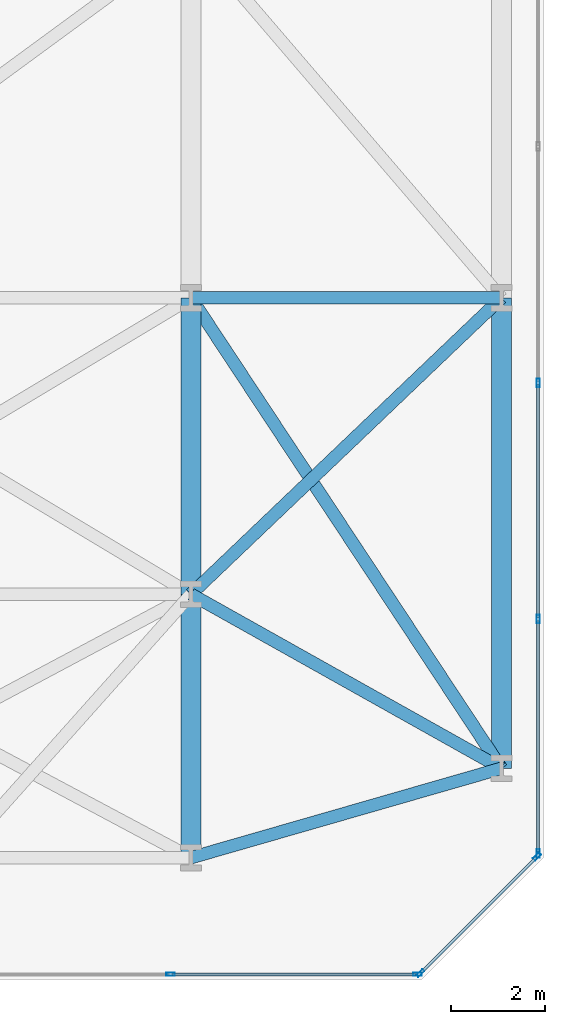
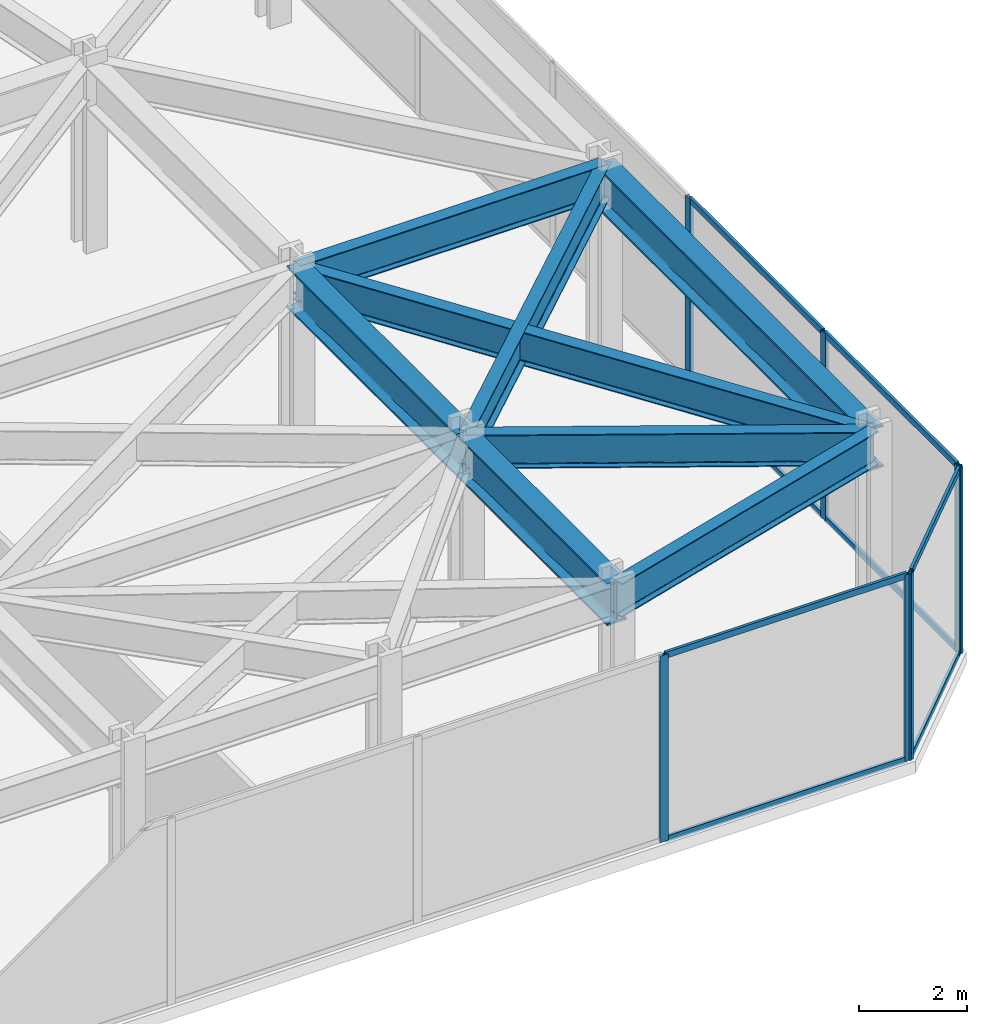
# One storey, part 21 of 28: 15 members, 8 beams, 3 elements without a shape of their own.
"""IFC4 building model written with IfcOpenShell, lengths in metres."""

import ifcopenshell
import ifcopenshell.guid

model = None  # the IFC model being written
_history = None  # IfcOwnerHistory: only IFC2X3 demands one
_inside = {}  # id of a spatial element -> (the spatial element, [elements in it])
_under = {}  # id of a project, library or spatial element -> (it, [spatial elements below it])
_declared = {}  # id of a project -> (the project, [libraries it declares])
_typed = {}  # id of a type object -> (the type object, [elements of that type])
_made_of = {}  # id of a material, layer set ... -> (it, [elements and type objects made of it])


def new_model(schema):
    """Start an empty IFC model of exactly this schema.

    Asked for "IFC4X3", IfcOpenShell would pick the latest addendum, in which some entities
    have other attributes; the version numbers below select the first issue.
    IFC2X3 requires an IfcOwnerHistory on every rooted entity: one is made here for all.
    """
    global model, _history
    if schema == "IFC4X3":
        model = ifcopenshell.file(schema_version=(4, 3, 0, 0))
    else:
        model = ifcopenshell.file(schema=schema)
    _inside.clear()
    _under.clear()
    _declared.clear()
    _typed.clear()
    _made_of.clear()
    _history = None
    if model.schema == "IFC2X3":
        org = make("IfcOrganization", Name="unknown")
        user = make(
            "IfcPersonAndOrganization",
            ThePerson=make("IfcPerson", FamilyName="unknown"),
            TheOrganization=org,
        )
        app = make(
            "IfcApplication",
            ApplicationDeveloper=org,
            Version="unknown",
            ApplicationFullName="unknown",
            ApplicationIdentifier="unknown",
        )
        _history = make(
            "IfcOwnerHistory",
            OwningUser=user,
            OwningApplication=app,
            ChangeAction="ADDED",
            CreationDate=0,
        )
    return model


def make(cls, **values):
    """One entity of the class cls with the attributes given. An attribute that is None is left unset."""
    return model.create_entity(
        cls, **{name: value for name, value in values.items() if value is not None}
    )


def rooted(cls, **values):
    """An entity with a GlobalId (a new one), such as an element, a storey or a relation."""
    return make(cls, GlobalId=ifcopenshell.guid.new(), OwnerHistory=_history, **values)


def si_unit(unit_type, name, prefix=None):
    """IfcSIUnit, for example si_unit("LENGTHUNIT", "METRE", prefix="MILLI")."""
    return make("IfcSIUnit", UnitType=unit_type, Prefix=prefix, Name=name)


def assignment(units):
    """IfcUnitAssignment: the units of a project."""
    return None if units is None else make("IfcUnitAssignment", Units=units)


def point(xyz):
    """IfcCartesianPoint."""
    return None if xyz is None else make("IfcCartesianPoint", Coordinates=xyz)


def direction(xyz):
    """IfcDirection."""
    return None if xyz is None else make("IfcDirection", DirectionRatios=xyz)


def frame(location, z_axis=None, x_axis=None):
    """IfcAxis2Placement3D, a coordinate frame: its origin and axes. An axis left out is left unset."""
    return make(
        "IfcAxis2Placement3D",
        Location=point(location),
        Axis=direction(z_axis),
        RefDirection=direction(x_axis),
    )


def frame_2d(location, x_axis=None):
    """IfcAxis2Placement2D, a coordinate frame in the plane: its origin and x axis."""
    return make(
        "IfcAxis2Placement2D", Location=point(location), RefDirection=direction(x_axis)
    )


def origin():
    """The frame at (0, 0, 0) with its axes left unset."""
    return frame((0.0, 0.0, 0.0))


def origin_2d():
    """The frame at (0, 0) in the plane with its x axis left unset."""
    return frame_2d((0.0, 0.0))


def place(relative_to, where):
    """IfcLocalPlacement: puts the frame where relative to a parent placement (None: the world)."""
    return make(
        "IfcLocalPlacement", PlacementRelTo=relative_to, RelativePlacement=where
    )


def context(
    kind, dimensions, precision=None, world=None, true_north=None, identifier=None
):
    """IfcGeometricRepresentationContext, for example the 3D "Model" context."""
    return make(
        "IfcGeometricRepresentationContext",
        ContextIdentifier=identifier,
        ContextType=kind,
        CoordinateSpaceDimension=dimensions,
        Precision=precision,
        WorldCoordinateSystem=world,
        TrueNorth=true_north,
    )


def subcontext(parent, identifier, kind, view, scale=None):
    """IfcGeometricRepresentationSubContext, for example "Body" below "Model"."""
    return make(
        "IfcGeometricRepresentationSubContext",
        ContextIdentifier=identifier,
        ContextType=kind,
        ParentContext=parent,
        TargetScale=scale,
        TargetView=view,
    )


def project(units=None, contexts=None):
    """IfcProject with its units and contexts."""
    return rooted(
        "IfcProject",
        Name="project",
        RepresentationContexts=contexts,
        UnitsInContext=assignment(units),
    )


def spatial(cls, under=None, at=None, **own):
    """A site, building, storey or space (cls), placed at a placement, below another one or the project."""
    s = rooted(cls, ObjectPlacement=at, **own)
    if under is not None:
        _under.setdefault(under.id(), (under, []))[1].append(s)
    return s


def profile(cls, at=None, kind="AREA", **sizes):
    """A parametric profile (cls). Its sizes go by their IFC names, for example OverallWidth=200.0."""
    return make(cls, ProfileType=kind, Position=at, **sizes)


def hollow_rectangle(**sizes):
    """IfcRectangleHollowProfileDef."""
    return profile("IfcRectangleHollowProfileDef", **sizes)


def i_section(**sizes):
    """IfcIShapeProfileDef."""
    return profile("IfcIShapeProfileDef", **sizes)


def extrude(swept, where, along, depth):
    """IfcExtrudedAreaSolid: the profile swept, set in the frame where, extruded along a direction by depth."""
    return make(
        "IfcExtrudedAreaSolid",
        SweptArea=swept,
        Position=where,
        ExtrudedDirection=direction(along),
        Depth=depth,
    )


def shape(context_of_items, identifier, shape_type, items):
    """IfcShapeRepresentation: the items that make up one representation, for example the "Body"."""
    return make(
        "IfcShapeRepresentation",
        ContextOfItems=context_of_items,
        RepresentationIdentifier=identifier,
        RepresentationType=shape_type,
        Items=items,
    )


def material(Name=None, Category=None):
    """IfcMaterial."""
    return make("IfcMaterial", Name=Name, Category=Category)


def layer(
    of_material, thickness, ventilated=None, Name=None, Category=None, Priority=None
):
    """IfcMaterialLayer: one layer of a wall or slab, of a material (None: an air gap)."""
    return make(
        "IfcMaterialLayer",
        Material=of_material,
        LayerThickness=thickness,
        IsVentilated=ventilated,
        Name=Name,
        Category=Category,
        Priority=Priority,
    )


def layer_set(layers, Name=None):
    """IfcMaterialLayerSet."""
    return make("IfcMaterialLayerSet", MaterialLayers=layers, LayerSetName=Name)


def material_profile(
    of_material, cross_section, Name=None, Category=None, Priority=None
):
    """IfcMaterialProfile: a cross section and its material."""
    return make(
        "IfcMaterialProfile",
        Name=Name,
        Material=of_material,
        Profile=cross_section,
        Priority=Priority,
        Category=Category,
    )


def profile_set(profiles, Name=None, composite=None):
    """IfcMaterialProfileSet."""
    return make(
        "IfcMaterialProfileSet",
        Name=Name,
        MaterialProfiles=profiles,
        CompositeProfile=composite,
    )


def made_of(thing, what):
    """Note that an element or type object is made of a material, layer set ...; save() writes the relation."""
    if what is not None:
        _made_of.setdefault(what.id(), (what, []))[1].append(thing)
    return thing


def type_object(cls, material=None, **own):
    """A type object (cls), such as IfcWallType, which elements share."""
    return made_of(rooted(cls, **own), material)


def element(
    cls,
    number,
    at=None,
    inside=None,
    cuts=None,
    type_object=None,
    material=None,
    context=None,
    identifier="Body",
    shape_type=None,
    held_by="IfcProductDefinitionShape",
    body=None,
    shapes=None,
    **own,
):
    """One element of the class cls, such as IfcWall. Its Tag is "e" and its number.

    at: its placement. inside: the storey or other place that contains it. cuts: it is an
    opening in that element (IfcRelVoidsElement). A single representation is given by context,
    identifier, shape_type and body (its items); several are given by shapes. held_by: the class
    of the entity that holds the representations. save() writes the other relations.
    """
    e = rooted(cls, Tag="e%d" % number, ObjectPlacement=at, **own)
    if body is not None:
        shapes = [shape(context, identifier, shape_type, body)]
    if shapes is not None:
        e.Representation = make(held_by, Representations=shapes)
    if inside is not None:
        _inside.setdefault(inside.id(), (inside, []))[1].append(e)
    if cuts is not None:
        rooted(
            "IfcRelVoidsElement", RelatingBuildingElement=cuts, RelatedOpeningElement=e
        )
    if type_object is not None:
        _typed.setdefault(type_object.id(), (type_object, []))[1].append(e)
    return made_of(e, material)


def aggregate(whole, parts):
    """IfcRelAggregates: a whole, such as a stair, and the parts it consists of."""
    return rooted("IfcRelAggregates", RelatingObject=whole, RelatedObjects=parts)


def save(model, path):
    """Write the relations noted so far, then the file.

    IfcRelAggregates (storeys below a building ...), IfcRelContainedInSpatialStructure (elements
    in a storey), IfcRelDefinesByType, IfcRelAssociatesMaterial and IfcRelDeclares: one each for
    every whole, place, type object, material and project.
    """
    for whole, parts in _under.values():
        aggregate(whole, parts)
    for where, things in _inside.values():
        rooted(
            "IfcRelContainedInSpatialStructure",
            RelatedElements=things,
            RelatingStructure=where,
        )
    for kind, things in _typed.values():
        rooted("IfcRelDefinesByType", RelatedObjects=things, RelatingType=kind)
    for what, things in _made_of.values():
        rooted("IfcRelAssociatesMaterial", RelatedObjects=things, RelatingMaterial=what)
    for by, libraries in _declared.values():
        rooted("IfcRelDeclares", RelatingContext=by, RelatedDefinitions=libraries)
    model.write(path)


model = new_model("IFC4")

# Units and contexts
model_context = context("Model", 3, precision=1e-05, world=origin(), true_north=direction((0.0, 1.0)))
body_context = subcontext(model_context, "Body", "Model", "MODEL_VIEW")
ifc_project = project(units=[si_unit("LENGTHUNIT", "METRE"), si_unit("AREAUNIT", "SQUARE_METRE"), si_unit("VOLUMEUNIT", "CUBIC_METRE"), si_unit("PLANEANGLEUNIT", "RADIAN"), si_unit("MASSUNIT", "GRAM", prefix="KILO")], contexts=[model_context])

# Site, building, storey
site_placement = place(None, origin())
site = spatial("IfcSite", under=ifc_project, at=site_placement, CompositionType="ELEMENT")
building_placement = place(site_placement, origin())
building = spatial("IfcBuilding", under=site, at=building_placement, Name="Kravanh Interchange Tower", CompositionType="ELEMENT")
storey_placement = place(building_placement, frame((0.0, 0.0, 10.800048828125)))
storey = spatial("IfcBuildingStorey", under=building, at=storey_placement, Name="L02", CompositionType="ELEMENT", Elevation=10.800048828125)

# Curtain wall, members
ifc_material_1 = material(Name="Anodised Bronze Aluminium", Category="aluminium")
ifc_layer = layer(ifc_material_1, 0.179931640625)
ifc_layer_set = layer_set([ifc_layer], Name="Unitised Curtain Wall System CW-POD Podium Concourse")
curtain_wall_type = type_object("IfcCurtainWallType", Name="Unitised Curtain Wall System CW-POD Podium Concourse", PredefinedType="NOTDEFINED", material=ifc_layer_set)
curtain_wall_1_placement = place(storey_placement, origin())
curtain_wall_1 = element("IfcCurtainWall", 1, at=curtain_wall_1_placement, inside=storey, type_object=curtain_wall_type, Name="L02 Unitised Curtain Wall CW-L02-02", PredefinedType="NOTDEFINED")
ifc_material_2 = material(Name="Anodised Bronze Aluminium", Category="aluminium")
ifc_material_profile_1 = material_profile(ifc_material_2, hollow_rectangle(XDim=0.070068359375, YDim=0.179931640625, WallThickness=0.00390625, at=origin_2d()), Name="ALU70X180X4")
ifc_profile_set_1 = profile_set([ifc_material_profile_1], Name="Anodised Bronze Aluminium")
member_type_1 = type_object("IfcMemberType", Name="Curtain Wall Mullion ALU70X180X4 Bronze", PredefinedType="MULLION", material=ifc_profile_set_1)
member_1_placement = place(storey_placement, frame((73.8798828125, 12.692626953125, 0.0), z_axis=(0.0, 0.0, 1.0), x_axis=(1.0, 0.0, 0.0)))
member_1 = element("IfcMember", 2, at=member_1_placement, type_object=member_type_1, Name="CW-POD mullion 6", PredefinedType="MULLION", context=body_context, shape_type="SweptSolid", body=[
    extrude(hollow_rectangle(XDim=0.070068359375, YDim=0.179931640625, WallThickness=0.00390625, at=origin_2d()), origin(), (0.0, 0.0, 1.0), 4.22998046875),
])
member_2_placement = place(storey_placement, frame((73.8798828125, 7.671142578125, 0.0), z_axis=(0.0, 0.0, 1.0), x_axis=(1.0, 0.0, 0.0)))
member_2 = element("IfcMember", 3, at=member_2_placement, type_object=member_type_1, Name="CW-POD mullion 7", PredefinedType="MULLION", context=body_context, shape_type="SweptSolid", body=[
    extrude(hollow_rectangle(XDim=0.070068359375, YDim=0.179931640625, WallThickness=0.00390625, at=origin_2d()), origin(), (0.0, 0.0, 1.0), 4.22998046875),
])
member_3_placement = place(storey_placement, frame((73.8798828125, 2.684814453125, 0.0), z_axis=(0.0, 0.0, 1.0), x_axis=(1.0, 0.0, 0.0)))
member_3 = element("IfcMember", 4, at=member_3_placement, type_object=member_type_1, Name="CW-POD mullion 8", PredefinedType="MULLION", context=body_context, shape_type="SweptSolid", body=[
    extrude(hollow_rectangle(XDim=0.070068359375, YDim=0.179931640625, WallThickness=0.00390625, at=origin_2d()), origin(), (0.0, 0.0, 1.0), 4.22998046875),
])

curtain_wall_2_placement = place(storey_placement, origin())
curtain_wall_2 = element("IfcCurtainWall", 5, at=curtain_wall_2_placement, inside=storey, type_object=curtain_wall_type, Name="L02 Unitised Curtain Wall CW-L02-03", PredefinedType="NOTDEFINED")
member_4_placement = place(storey_placement, frame((73.855224609375, 2.625, 0.0), z_axis=(0.0, 0.0, 1.0), x_axis=(0.707106781187, -0.707106781187, 0.0)))
member_4 = element("IfcMember", 6, at=member_4_placement, type_object=member_type_1, Name="CW-POD mullion 1", PredefinedType="MULLION", context=body_context, shape_type="SweptSolid", body=[
    extrude(hollow_rectangle(XDim=0.070068359375, YDim=0.179931640625, WallThickness=0.00390625, at=origin_2d()), origin(), (0.0, 0.0, 1.0), 4.22998046875),
])
member_5_placement = place(storey_placement, frame((71.375, 0.144775390625, 0.0), z_axis=(0.0, 0.0, 1.0), x_axis=(0.707106781187, -0.707106781187, 0.0)))
member_5 = element("IfcMember", 7, at=member_5_placement, type_object=member_type_1, Name="CW-POD mullion 2", PredefinedType="MULLION", context=body_context, shape_type="SweptSolid", body=[
    extrude(hollow_rectangle(XDim=0.070068359375, YDim=0.179931640625, WallThickness=0.00390625, at=origin_2d()), origin(), (0.0, 0.0, 1.0), 4.22998046875),
])

curtain_wall_3_placement = place(storey_placement, origin())
curtain_wall_3 = element("IfcCurtainWall", 8, at=curtain_wall_3_placement, inside=storey, type_object=curtain_wall_type, Name="L02 Unitised Curtain Wall CW-L02-04", PredefinedType="NOTDEFINED")
member_6_placement = place(storey_placement, frame((71.315185546875, 0.1201171875, 0.0), z_axis=(0.0, 0.0, 1.0), x_axis=(0.0, -1.0, 0.0)))
member_6 = element("IfcMember", 9, at=member_6_placement, type_object=member_type_1, Name="CW-POD mullion 1", PredefinedType="MULLION", context=body_context, shape_type="SweptSolid", body=[
    extrude(hollow_rectangle(XDim=0.070068359375, YDim=0.179931640625, WallThickness=0.00390625, at=origin_2d()), origin(), (0.0, 0.0, 1.0), 4.22998046875),
])
member_7_placement = place(storey_placement, frame((66.065673828125, 0.1201171875, 0.0), z_axis=(0.0, 0.0, 1.0), x_axis=(0.0, -1.0, 0.0)))
member_7 = element("IfcMember", 10, at=member_7_placement, type_object=member_type_1, Name="CW-POD mullion 2", PredefinedType="MULLION", context=body_context, shape_type="SweptSolid", body=[
    extrude(hollow_rectangle(XDim=0.070068359375, YDim=0.179931640625, WallThickness=0.00390625, at=origin_2d()), origin(), (0.0, 0.0, 1.0), 4.22998046875),
])

# Member
ifc_material_3 = material(Name="Anodised Bronze Aluminium", Category="aluminium")
ifc_material_profile_2 = material_profile(ifc_material_3, hollow_rectangle(XDim=0.06005859375, YDim=0.139892578125, WallThickness=0.00390625, at=origin_2d()), Name="ALU60X140X4")
ifc_profile_set_2 = profile_set([ifc_material_profile_2], Name="Anodised Bronze Aluminium")
member_type_2 = type_object("IfcMemberType", Name="Curtain Wall Transom ALU60X140X4 Bronze", PredefinedType="USERDEFINED", material=ifc_profile_set_2)
member_8_placement = place(storey_placement, frame((73.8798828125, 12.65771484375, 0.030029296875), z_axis=(0.0, -1.0, 0.0), x_axis=(1.0, 0.0, 0.0)))
member_8 = element("IfcMember", 11, at=member_8_placement, type_object=member_type_2, Name="CW-POD transom 6.1", ObjectType="TRANSOM", PredefinedType="USERDEFINED", context=body_context, shape_type="SweptSolid", body=[
    extrude(hollow_rectangle(XDim=0.06005859375, YDim=0.139892578125, WallThickness=0.00390625, at=origin_2d()), origin(), (0.0, 0.0, 1.0), 4.95166015625),
])

member_9_placement = place(storey_placement, frame((73.8798828125, 12.65771484375, 4.199951171875), z_axis=(0.0, -1.0, 0.0), x_axis=(1.0, 0.0, 0.0)))
member_9 = element("IfcMember", 12, at=member_9_placement, type_object=member_type_2, Name="CW-POD transom 6.2", ObjectType="TRANSOM", PredefinedType="USERDEFINED", context=body_context, shape_type="SweptSolid", body=[
    extrude(hollow_rectangle(XDim=0.06005859375, YDim=0.139892578125, WallThickness=0.00390625, at=origin_2d()), origin(), (0.0, 0.0, 1.0), 4.95166015625),
])

member_10_placement = place(storey_placement, frame((73.8798828125, 7.63623046875, 0.030029296875), z_axis=(0.0, -1.0, 0.0), x_axis=(1.0, 0.0, 0.0)))
member_10 = element("IfcMember", 13, at=member_10_placement, type_object=member_type_2, Name="CW-POD transom 7.1", ObjectType="TRANSOM", PredefinedType="USERDEFINED", context=body_context, shape_type="SweptSolid", body=[
    extrude(hollow_rectangle(XDim=0.06005859375, YDim=0.139892578125, WallThickness=0.00390625, at=origin_2d()), origin(), (0.0, 0.0, 1.0), 4.91650390625),
])

member_11_placement = place(storey_placement, frame((73.8798828125, 7.63623046875, 4.199951171875), z_axis=(0.0, -1.0, 0.0), x_axis=(1.0, 0.0, 0.0)))
member_11 = element("IfcMember", 14, at=member_11_placement, type_object=member_type_2, Name="CW-POD transom 7.2", ObjectType="TRANSOM", PredefinedType="USERDEFINED", context=body_context, shape_type="SweptSolid", body=[
    extrude(hollow_rectangle(XDim=0.06005859375, YDim=0.139892578125, WallThickness=0.00390625, at=origin_2d()), origin(), (0.0, 0.0, 1.0), 4.91650390625),
])

aggregate(curtain_wall_1, [member_1, member_2, member_3, member_8, member_9, member_10, member_11])

member_12_placement = place(storey_placement, frame((73.83056640625, 2.60009765625, 0.030029296875), z_axis=(-0.707106781187, -0.707106781187, 0.0), x_axis=(0.707106781187, -0.707106781187, 0.0)))
member_12 = element("IfcMember", 15, at=member_12_placement, type_object=member_type_2, Name="CW-POD transom 1.1", ObjectType="TRANSOM", PredefinedType="USERDEFINED", context=body_context, shape_type="SweptSolid", body=[
    extrude(hollow_rectangle(XDim=0.06005859375, YDim=0.139892578125, WallThickness=0.00390625, at=origin_2d()), origin(), (0.0, 0.0, 1.0), 3.4375),
])

member_13_placement = place(storey_placement, frame((73.83056640625, 2.60009765625, 4.199951171875), z_axis=(-0.707106781187, -0.707106781187, 0.0), x_axis=(0.707106781187, -0.707106781187, 0.0)))
member_13 = element("IfcMember", 16, at=member_13_placement, type_object=member_type_2, Name="CW-POD transom 1.2", ObjectType="TRANSOM", PredefinedType="USERDEFINED", context=body_context, shape_type="SweptSolid", body=[
    extrude(hollow_rectangle(XDim=0.06005859375, YDim=0.139892578125, WallThickness=0.00390625, at=origin_2d()), origin(), (0.0, 0.0, 1.0), 3.4375),
])

aggregate(curtain_wall_2, [member_4, member_5, member_12, member_13])

member_14_placement = place(storey_placement, frame((71.2802734375, 0.1201171875, 0.030029296875), z_axis=(-1.0, 0.0, 0.0), x_axis=(0.0, -1.0, 0.0)))
member_14 = element("IfcMember", 17, at=member_14_placement, type_object=member_type_2, Name="CW-POD transom 1.1", ObjectType="TRANSOM", PredefinedType="USERDEFINED", context=body_context, shape_type="SweptSolid", body=[
    extrude(hollow_rectangle(XDim=0.06005859375, YDim=0.139892578125, WallThickness=0.00390625, at=origin_2d()), origin(), (0.0, 0.0, 1.0), 5.1796875),
])

member_15_placement = place(storey_placement, frame((71.2802734375, 0.1201171875, 4.199951171875), z_axis=(-1.0, 0.0, 0.0), x_axis=(0.0, -1.0, 0.0)))
member_15 = element("IfcMember", 18, at=member_15_placement, type_object=member_type_2, Name="CW-POD transom 1.2", ObjectType="TRANSOM", PredefinedType="USERDEFINED", context=body_context, shape_type="SweptSolid", body=[
    extrude(hollow_rectangle(XDim=0.06005859375, YDim=0.139892578125, WallThickness=0.00390625, at=origin_2d()), origin(), (0.0, 0.0, 1.0), 5.1796875),
])

aggregate(curtain_wall_3, [member_6, member_7, member_14, member_15])

# Beams
ifc_material_4 = material(Name="Structural Steel S450", Category="steel")
ifc_material_profile_3 = material_profile(ifc_material_4, i_section(OverallWidth=0.423095703125, OverallDepth=0.947998046875, WebThickness=0.02392578125, FlangeThickness=0.042724609375, FilletRadius=0.028076171875, at=origin_2d()), Name="W36X302")
ifc_profile_set_3 = profile_set([ifc_material_profile_3], Name="Structural Steel S450")
beam_type_1 = type_object("IfcBeamType", Name="Floor Beam W36X302 Structural Steel S450", PredefinedType="BEAM", material=ifc_profile_set_3)
beam_1_placement = place(storey_placement, frame((66.5, 2.60009765625, 3.755859375), z_axis=(0.0, 1.0, 0.0), x_axis=(-1.0, 0.0, 0.0)))
element("IfcBeam", 19, at=beam_1_placement, inside=storey, type_object=beam_type_1, Name="L02 Primary Floor Girder 20", PredefinedType="BEAM", context=body_context, shape_type="SweptSolid", body=[
    extrude(i_section(OverallWidth=0.423095703125, OverallDepth=0.947998046875, WebThickness=0.02392578125, FlangeThickness=0.042724609375, FilletRadius=0.028076171875, at=origin_2d()), origin(), (0.0, 0.0, 1.0), 5.599853515625),
])
beam_2_placement = place(storey_placement, frame((66.5, 8.199951171875, 3.755859375), z_axis=(0.0, 1.0, 0.0), x_axis=(-1.0, 0.0, 0.0)))
element("IfcBeam", 20, at=beam_2_placement, inside=storey, type_object=beam_type_1, Name="L02 Primary Floor Girder 33", PredefinedType="BEAM", context=body_context, shape_type="SweptSolid", body=[
    extrude(i_section(OverallWidth=0.423095703125, OverallDepth=0.947998046875, WebThickness=0.02392578125, FlangeThickness=0.042724609375, FilletRadius=0.028076171875, at=origin_2d()), origin(), (0.0, 0.0, 1.0), 6.300048828125),
])
beam_3_placement = place(storey_placement, frame((73.10009765625, 4.5, 3.755859375), z_axis=(0.0, 1.0, 0.0), x_axis=(-1.0, 0.0, 0.0)))
element("IfcBeam", 21, at=beam_3_placement, inside=storey, type_object=beam_type_1, Name="L02 Primary Floor Girder 127", PredefinedType="BEAM", context=body_context, shape_type="SweptSolid", body=[
    extrude(i_section(OverallWidth=0.423095703125, OverallDepth=0.947998046875, WebThickness=0.02392578125, FlangeThickness=0.042724609375, FilletRadius=0.028076171875, at=origin_2d()), origin(), (0.0, 0.0, 1.0), 10.0),
])
ifc_material_5 = material(Name="Structural Steel S355", Category="steel")
ifc_material_profile_4 = material_profile(ifc_material_5, i_section(OverallWidth=0.26708984375, OverallDepth=0.761962890625, WebThickness=0.014404296875, FlangeThickness=0.021484375, FilletRadius=0.02490234375, at=origin_2d()), Name="W30X116")
ifc_profile_set_4 = profile_set([ifc_material_profile_4], Name="Structural Steel S355")
beam_type_2 = type_object("IfcBeamType", Name="Floor Spandrel W30X116 Structural Steel S355", PredefinedType="SPANDREL", material=ifc_profile_set_4)
beam_4_placement = place(storey_placement, frame((66.5, 2.60009765625, 3.848876953125), z_axis=(0.960977451506, 0.27662671183, 0.0), x_axis=(-0.27662671183, 0.960977451506, 0.0)))
element("IfcBeam", 22, at=beam_4_placement, inside=storey, type_object=beam_type_2, Name="L02 Perimeter Spandrel 21", PredefinedType="SPANDREL", context=body_context, shape_type="SweptSolid", body=[
    extrude(i_section(OverallWidth=0.26708984375, OverallDepth=0.761962890625, WebThickness=0.014404296875, FlangeThickness=0.021484375, FilletRadius=0.02490234375, at=origin_2d()), origin(), (0.0, 0.0, 1.0), 6.8681640625),
])
beam_5_placement = place(storey_placement, frame((66.5, 8.199951171875, 3.848876953125), z_axis=(0.872286391466, -0.488995348918, 0.0), x_axis=(0.488995348918, 0.872286391466, 0.0)))
element("IfcBeam", 23, at=beam_5_placement, inside=storey, type_object=beam_type_2, Name="L02 Perimeter Spandrel 34", PredefinedType="SPANDREL", context=body_context, shape_type="SweptSolid", body=[
    extrude(i_section(OverallWidth=0.26708984375, OverallDepth=0.761962890625, WebThickness=0.014404296875, FlangeThickness=0.021484375, FilletRadius=0.02490234375, at=origin_2d()), origin(), (0.0, 0.0, 1.0), 7.56640625),
])
beam_6_placement = place(storey_placement, frame((66.5, 8.199951171875, 3.848876953125), z_axis=(0.723357973995, 0.690473201115, 0.0), x_axis=(-0.690473201115, 0.723357973995, 0.0)))
element("IfcBeam", 24, at=beam_6_placement, inside=storey, type_object=beam_type_2, Name="L02 Perimeter Spandrel 35", PredefinedType="SPANDREL", context=body_context, shape_type="SweptSolid", body=[
    extrude(i_section(OverallWidth=0.26708984375, OverallDepth=0.761962890625, WebThickness=0.014404296875, FlangeThickness=0.021484375, FilletRadius=0.02490234375, at=origin_2d()), origin(), (0.0, 0.0, 1.0), 9.124267578125),
])
beam_7_placement = place(storey_placement, frame((66.5, 14.5, 3.848876953125), z_axis=(1.0, 0.0, 0.0), x_axis=(0.0, 1.0, 0.0)))
element("IfcBeam", 25, at=beam_7_placement, inside=storey, type_object=beam_type_2, Name="L02 Perimeter Spandrel 53", PredefinedType="SPANDREL", context=body_context, shape_type="SweptSolid", body=[
    extrude(i_section(OverallWidth=0.26708984375, OverallDepth=0.761962890625, WebThickness=0.014404296875, FlangeThickness=0.021484375, FilletRadius=0.02490234375, at=origin_2d()), origin(), (0.0, 0.0, 1.0), 6.60009765625),
])
beam_8_placement = place(storey_placement, frame((66.5, 14.5, 3.848876953125), z_axis=(0.550847885697, -0.834605659472, 0.0), x_axis=(0.834605659472, 0.550847885697, 0.0)))
element("IfcBeam", 26, at=beam_8_placement, inside=storey, type_object=beam_type_2, Name="L02 Perimeter Spandrel 55", PredefinedType="SPANDREL", context=body_context, shape_type="SweptSolid", body=[
    extrude(i_section(OverallWidth=0.26708984375, OverallDepth=0.761962890625, WebThickness=0.014404296875, FlangeThickness=0.021484375, FilletRadius=0.02490234375, at=origin_2d()), origin(), (0.0, 0.0, 1.0), 11.981689453125),
])

save(model, "model.ifc")
